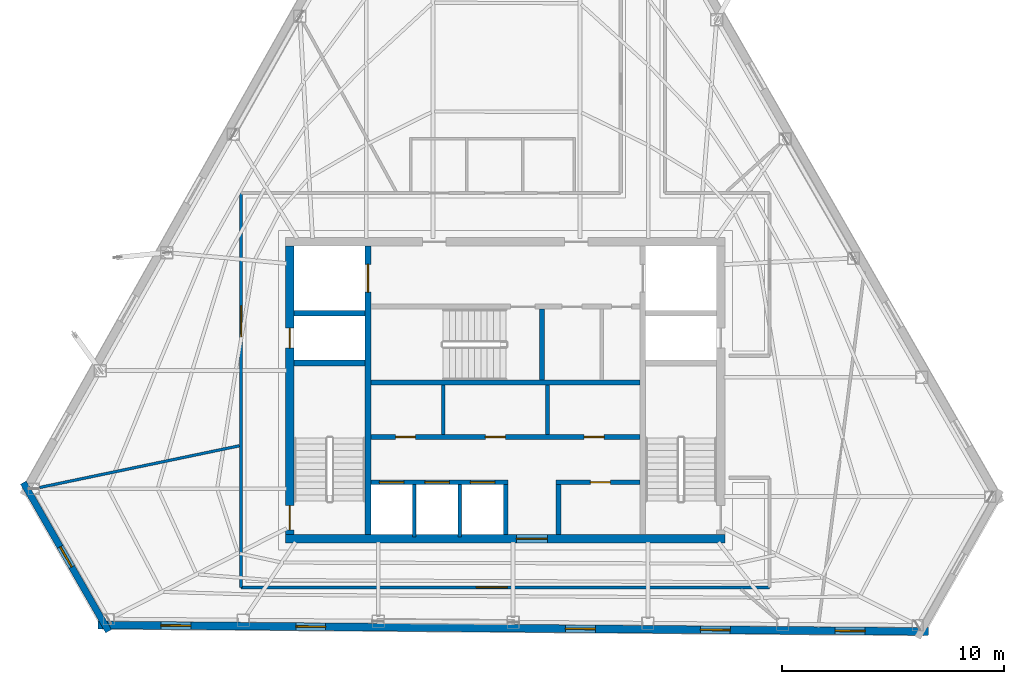
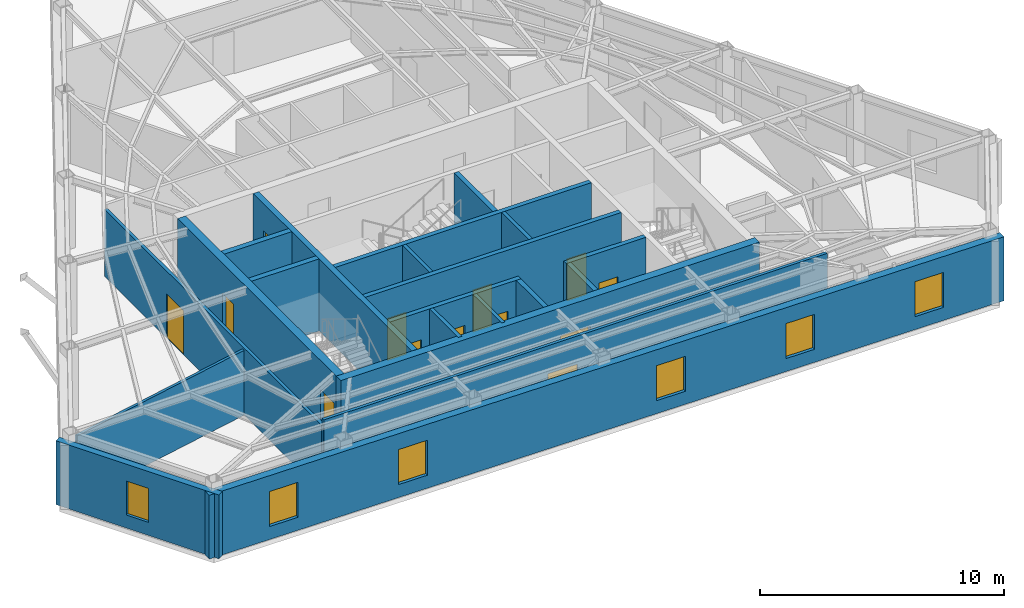
# One storey, part 7 of 10: 21 walls, 13 doors, 6 windows, 19 openings.
"""IFC4 building model written with IfcOpenShell, lengths in metres."""

import ifcopenshell
import ifcopenshell.guid

model = None  # the IFC model being written
_history = None  # IfcOwnerHistory: only IFC2X3 demands one
_inside = {}  # id of a spatial element -> (the spatial element, [elements in it])
_under = {}  # id of a project, library or spatial element -> (it, [spatial elements below it])
_declared = {}  # id of a project -> (the project, [libraries it declares])
_typed = {}  # id of a type object -> (the type object, [elements of that type])
_made_of = {}  # id of a material, layer set ... -> (it, [elements and type objects made of it])


def new_model(schema):
    """Start an empty IFC model of exactly this schema.

    Asked for "IFC4X3", IfcOpenShell would pick the latest addendum, in which some entities
    have other attributes; the version numbers below select the first issue.
    IFC2X3 requires an IfcOwnerHistory on every rooted entity: one is made here for all.
    """
    global model, _history
    if schema == "IFC4X3":
        model = ifcopenshell.file(schema_version=(4, 3, 0, 0))
    else:
        model = ifcopenshell.file(schema=schema)
    _inside.clear()
    _under.clear()
    _declared.clear()
    _typed.clear()
    _made_of.clear()
    _history = None
    if model.schema == "IFC2X3":
        org = make("IfcOrganization", Name="unknown")
        user = make(
            "IfcPersonAndOrganization",
            ThePerson=make("IfcPerson", FamilyName="unknown"),
            TheOrganization=org,
        )
        app = make(
            "IfcApplication",
            ApplicationDeveloper=org,
            Version="unknown",
            ApplicationFullName="unknown",
            ApplicationIdentifier="unknown",
        )
        _history = make(
            "IfcOwnerHistory",
            OwningUser=user,
            OwningApplication=app,
            ChangeAction="ADDED",
            CreationDate=0,
        )
    return model


def make(cls, **values):
    """One entity of the class cls with the attributes given. An attribute that is None is left unset."""
    return model.create_entity(
        cls, **{name: value for name, value in values.items() if value is not None}
    )


def rooted(cls, **values):
    """An entity with a GlobalId (a new one), such as an element, a storey or a relation."""
    return make(cls, GlobalId=ifcopenshell.guid.new(), OwnerHistory=_history, **values)


def si_unit(unit_type, name, prefix=None):
    """IfcSIUnit, for example si_unit("LENGTHUNIT", "METRE", prefix="MILLI")."""
    return make("IfcSIUnit", UnitType=unit_type, Prefix=prefix, Name=name)


def assignment(units):
    """IfcUnitAssignment: the units of a project."""
    return None if units is None else make("IfcUnitAssignment", Units=units)


def point(xyz):
    """IfcCartesianPoint."""
    return None if xyz is None else make("IfcCartesianPoint", Coordinates=xyz)


def direction(xyz):
    """IfcDirection."""
    return None if xyz is None else make("IfcDirection", DirectionRatios=xyz)


def frame(location, z_axis=None, x_axis=None):
    """IfcAxis2Placement3D, a coordinate frame: its origin and axes. An axis left out is left unset."""
    return make(
        "IfcAxis2Placement3D",
        Location=point(location),
        Axis=direction(z_axis),
        RefDirection=direction(x_axis),
    )


def frame_2d(location, x_axis=None):
    """IfcAxis2Placement2D, a coordinate frame in the plane: its origin and x axis."""
    return make(
        "IfcAxis2Placement2D", Location=point(location), RefDirection=direction(x_axis)
    )


def origin():
    """The frame at (0, 0, 0) with its axes left unset."""
    return frame((0.0, 0.0, 0.0))


def place(relative_to, where):
    """IfcLocalPlacement: puts the frame where relative to a parent placement (None: the world)."""
    return make(
        "IfcLocalPlacement", PlacementRelTo=relative_to, RelativePlacement=where
    )


def context(
    kind, dimensions, precision=None, world=None, true_north=None, identifier=None
):
    """IfcGeometricRepresentationContext, for example the 3D "Model" context."""
    return make(
        "IfcGeometricRepresentationContext",
        ContextIdentifier=identifier,
        ContextType=kind,
        CoordinateSpaceDimension=dimensions,
        Precision=precision,
        WorldCoordinateSystem=world,
        TrueNorth=true_north,
    )


def subcontext(parent, identifier, kind, view, scale=None):
    """IfcGeometricRepresentationSubContext, for example "Body" below "Model"."""
    return make(
        "IfcGeometricRepresentationSubContext",
        ContextIdentifier=identifier,
        ContextType=kind,
        ParentContext=parent,
        TargetScale=scale,
        TargetView=view,
    )


def project(units=None, contexts=None):
    """IfcProject with its units and contexts."""
    return rooted(
        "IfcProject",
        Name="project",
        RepresentationContexts=contexts,
        UnitsInContext=assignment(units),
    )


def spatial(cls, under=None, at=None, **own):
    """A site, building, storey or space (cls), placed at a placement, below another one or the project."""
    s = rooted(cls, ObjectPlacement=at, **own)
    if under is not None:
        _under.setdefault(under.id(), (under, []))[1].append(s)
    return s


def profile(cls, at=None, kind="AREA", **sizes):
    """A parametric profile (cls). Its sizes go by their IFC names, for example OverallWidth=200.0."""
    return make(cls, ProfileType=kind, Position=at, **sizes)


def rectangle(**sizes):
    """IfcRectangleProfileDef."""
    return profile("IfcRectangleProfileDef", **sizes)


def extrude(swept, where, along, depth):
    """IfcExtrudedAreaSolid: the profile swept, set in the frame where, extruded along a direction by depth."""
    return make(
        "IfcExtrudedAreaSolid",
        SweptArea=swept,
        Position=where,
        ExtrudedDirection=direction(along),
        Depth=depth,
    )


def shape(context_of_items, identifier, shape_type, items):
    """IfcShapeRepresentation: the items that make up one representation, for example the "Body"."""
    return make(
        "IfcShapeRepresentation",
        ContextOfItems=context_of_items,
        RepresentationIdentifier=identifier,
        RepresentationType=shape_type,
        Items=items,
    )


def material(Name=None, Category=None):
    """IfcMaterial."""
    return make("IfcMaterial", Name=Name, Category=Category)


def layer(
    of_material, thickness, ventilated=None, Name=None, Category=None, Priority=None
):
    """IfcMaterialLayer: one layer of a wall or slab, of a material (None: an air gap)."""
    return make(
        "IfcMaterialLayer",
        Material=of_material,
        LayerThickness=thickness,
        IsVentilated=ventilated,
        Name=Name,
        Category=Category,
        Priority=Priority,
    )


def layer_set(layers, Name=None):
    """IfcMaterialLayerSet."""
    return make("IfcMaterialLayerSet", MaterialLayers=layers, LayerSetName=Name)


def made_of(thing, what):
    """Note that an element or type object is made of a material, layer set ...; save() writes the relation."""
    if what is not None:
        _made_of.setdefault(what.id(), (what, []))[1].append(thing)
    return thing


def type_object(cls, material=None, **own):
    """A type object (cls), such as IfcWallType, which elements share."""
    return made_of(rooted(cls, **own), material)


def element(
    cls,
    number,
    at=None,
    inside=None,
    cuts=None,
    type_object=None,
    material=None,
    context=None,
    identifier="Body",
    shape_type=None,
    held_by="IfcProductDefinitionShape",
    body=None,
    shapes=None,
    **own,
):
    """One element of the class cls, such as IfcWall. Its Tag is "e" and its number.

    at: its placement. inside: the storey or other place that contains it. cuts: it is an
    opening in that element (IfcRelVoidsElement). A single representation is given by context,
    identifier, shape_type and body (its items); several are given by shapes. held_by: the class
    of the entity that holds the representations. save() writes the other relations.
    """
    e = rooted(cls, Tag="e%d" % number, ObjectPlacement=at, **own)
    if body is not None:
        shapes = [shape(context, identifier, shape_type, body)]
    if shapes is not None:
        e.Representation = make(held_by, Representations=shapes)
    if inside is not None:
        _inside.setdefault(inside.id(), (inside, []))[1].append(e)
    if cuts is not None:
        rooted(
            "IfcRelVoidsElement", RelatingBuildingElement=cuts, RelatedOpeningElement=e
        )
    if type_object is not None:
        _typed.setdefault(type_object.id(), (type_object, []))[1].append(e)
    return made_of(e, material)


def fill(opening, filler):
    """IfcRelFillsElement: the door or window that sits in an opening."""
    return rooted(
        "IfcRelFillsElement",
        RelatingOpeningElement=opening,
        RelatedBuildingElement=filler,
    )


def aggregate(whole, parts):
    """IfcRelAggregates: a whole, such as a stair, and the parts it consists of."""
    return rooted("IfcRelAggregates", RelatingObject=whole, RelatedObjects=parts)


def save(model, path):
    """Write the relations noted so far, then the file.

    IfcRelAggregates (storeys below a building ...), IfcRelContainedInSpatialStructure (elements
    in a storey), IfcRelDefinesByType, IfcRelAssociatesMaterial and IfcRelDeclares: one each for
    every whole, place, type object, material and project.
    """
    for whole, parts in _under.values():
        aggregate(whole, parts)
    for where, things in _inside.values():
        rooted(
            "IfcRelContainedInSpatialStructure",
            RelatedElements=things,
            RelatingStructure=where,
        )
    for kind, things in _typed.values():
        rooted("IfcRelDefinesByType", RelatedObjects=things, RelatingType=kind)
    for what, things in _made_of.values():
        rooted("IfcRelAssociatesMaterial", RelatedObjects=things, RelatingMaterial=what)
    for by, libraries in _declared.values():
        rooted("IfcRelDeclares", RelatingContext=by, RelatedDefinitions=libraries)
    model.write(path)


model = new_model("IFC4")

# Units and contexts
model_context = context("Model", 3, precision=1e-05, world=origin(), true_north=direction((0.0, 1.0)))
body_context = subcontext(model_context, "Body", "Model", "MODEL_VIEW")
ifc_project = project(units=[si_unit("LENGTHUNIT", "METRE"), si_unit("AREAUNIT", "SQUARE_METRE"), si_unit("VOLUMEUNIT", "CUBIC_METRE"), si_unit("PLANEANGLEUNIT", "RADIAN"), si_unit("MASSUNIT", "GRAM", prefix="KILO")], contexts=[model_context])

# Site, building, storey
site_placement = place(None, origin())
site = spatial("IfcSite", under=ifc_project, at=site_placement, CompositionType="ELEMENT")
building_placement = place(site_placement, origin())
building = spatial("IfcBuilding", under=site, at=building_placement, Name="Kavelnor Concourse Tower", CompositionType="ELEMENT")
storey_placement = place(building_placement, frame((0.0, 0.0, 243.35009765625)))
storey = spatial("IfcBuildingStorey", under=building, at=storey_placement, Name="L61", CompositionType="ELEMENT", Elevation=243.35009765625)

# Wall, opening, door
ifc_material_1 = material(Name="Concrete C50/60", Category="concrete")
ifc_layer_1 = layer(ifc_material_1, 0.3798828125, Name="Concrete C50/60")
ifc_layer_set_1 = layer_set([ifc_layer_1], Name="Concrete C50/60")
wall_type_1 = type_object("IfcWallType", Name="WL-CORE-Z4-380", PredefinedType="SOLIDWALL", material=ifc_layer_set_1)
wall_1_placement = place(storey_placement, frame((28.10009765625, 9.409912109375, 0.0), z_axis=(0.0, 0.0, 1.0), x_axis=(1.0, 0.0, 0.0)))
wall_1 = element("IfcWall", 1, at=wall_1_placement, inside=storey, type_object=wall_type_1, Name="L61 Central Core South Shear Wall", PredefinedType="SOLIDWALL", context=body_context, shape_type="SweptSolid", body=[
    extrude(rectangle(XDim=19.7998046875, YDim=0.3798828125, at=frame_2d((9.89990234375, 0.0))), origin(), (0.0, 0.0, 1.0), 3.60986328125),
])
opening_1_placement = place(wall_1_placement, frame((10.39990234375, 0.0, 0.0)))
opening_1 = element("IfcOpeningElement", 2, at=opening_1_placement, cuts=wall_1, Name="Opening SD-140", PredefinedType="OPENING", context=body_context, shape_type="SweptSolid", body=[
    extrude(rectangle(XDim=1.39990234375, YDim=2.199951171875, at=frame_2d((0.699951171875, 1.10009765625))), frame((0.0, 0.199951171875, 0.0), z_axis=(0.0, -1.0, 0.0), x_axis=(1.0, 0.0, 0.0)), (0.0, 0.0, 1.0), 0.39990234375),
])
ifc_material_2 = material(Name="Solid-core hardwood timber", Category="wood")
door_type_1 = type_object("IfcDoorType", Name="DR-SUITE-ENTRY-1400", OperationType="NOTDEFINED", PredefinedType="DOOR", material=ifc_material_2)
door_1_placement = place(opening_1_placement, origin())
door_1 = element("IfcDoor", 3, at=door_1_placement, inside=storey, type_object=door_type_1, Name="L61 Passenger Lift Lobby Entry Door", OperationType="SINGLE_SWING_RIGHT", OverallHeight=2.199951171875, OverallWidth=1.39990234375, PredefinedType="DOOR", context=body_context, shape_type="SweptSolid", body=[
    extrude(rectangle(XDim=1.39990234375, YDim=2.199951171875, at=frame_2d((0.699951171875, 1.10009765625))), frame((0.0, 0.02490234375, 0.0), z_axis=(0.0, -1.0, 0.0), x_axis=(1.0, 0.0, 0.0)), (0.0, 0.0, 1.0), 0.050048828125),
])
fill(opening_1, door_1)

# Wall, openings, doors
wall_2_placement = place(storey_placement, frame((28.2900390625, 9.60009765625, 0.0), z_axis=(0.0, 0.0, 1.0), x_axis=(0.0, 1.0, 0.0)))
wall_2 = element("IfcWall", 4, at=wall_2_placement, inside=storey, type_object=wall_type_1, Name="L61 Central Core West Shear Wall", PredefinedType="SOLIDWALL", context=body_context, shape_type="SweptSolid", body=[
    extrude(rectangle(XDim=13.0, YDim=0.3798828125, at=frame_2d((6.5, 0.0))), origin(), (0.0, 0.0, 1.0), 3.60986328125),
])
opening_2_placement = place(wall_2_placement, frame((0.199951171875, 0.0, 0.0)))
opening_2 = element("IfcOpeningElement", 5, at=opening_2_placement, cuts=wall_2, Name="Opening FD-110", PredefinedType="OPENING", context=body_context, shape_type="SweptSolid", body=[
    extrude(rectangle(XDim=1.10009765625, YDim=2.14990234375, at=frame_2d((0.550048828125, 1.074951171875))), frame((0.0, 0.199951171875, 0.0), z_axis=(0.0, -1.0, 0.0), x_axis=(1.0, 0.0, 0.0)), (0.0, 0.0, 1.0), 0.39990234375),
])
opening_3_placement = place(wall_2_placement, frame((8.39990234375, 0.0, 0.0)))
opening_3 = element("IfcOpeningElement", 6, at=opening_3_placement, cuts=wall_2, Name="Opening FD-090", PredefinedType="OPENING", context=body_context, shape_type="SweptSolid", body=[
    extrude(rectangle(XDim=0.89990234375, YDim=2.10009765625, at=frame_2d((0.449951171875, 1.050048828125))), frame((0.0, 0.199951171875, 0.0), z_axis=(0.0, -1.0, 0.0), x_axis=(1.0, 0.0, 0.0)), (0.0, 0.0, 1.0), 0.39990234375),
])
ifc_material_3 = material(Name="Steel Grade 350", Category="steel")
door_type_2 = type_object("IfcDoorType", Name="DR-RISER-FIRE-900", OperationType="NOTDEFINED", PredefinedType="DOOR", material=ifc_material_3)
door_2_placement = place(opening_3_placement, origin())
door_2 = element("IfcDoor", 7, at=door_2_placement, inside=storey, type_object=door_type_2, Name="L61 West Riser Access Door", OperationType="SINGLE_SWING_RIGHT", OverallHeight=2.10009765625, OverallWidth=0.89990234375, PredefinedType="DOOR", context=body_context, shape_type="SweptSolid", body=[
    extrude(rectangle(XDim=0.89990234375, YDim=2.10009765625, at=frame_2d((0.449951171875, 1.050048828125))), frame((0.0, 0.02490234375, 0.0), z_axis=(0.0, -1.0, 0.0), x_axis=(1.0, 0.0, 0.0)), (0.0, 0.0, 1.0), 0.050048828125),
])
fill(opening_3, door_2)
door_type_3 = type_object("IfcDoorType", Name="DR-STAIR-FIRE-1100", OperationType="NOTDEFINED", PredefinedType="DOOR", material=ifc_material_3)
door_3_placement = place(opening_2_placement, origin())
door_3 = element("IfcDoor", 8, at=door_3_placement, inside=storey, type_object=door_type_3, Name="L61 Stair ST1 Fire Door", OperationType="SINGLE_SWING_LEFT", OverallHeight=2.14990234375, OverallWidth=1.10009765625, PredefinedType="DOOR", context=body_context, shape_type="SweptSolid", body=[
    extrude(rectangle(XDim=1.10009765625, YDim=2.14990234375, at=frame_2d((0.550048828125, 1.074951171875))), frame((0.0, 0.02490234375, 0.0), z_axis=(0.0, -1.0, 0.0), x_axis=(1.0, 0.0, 0.0)), (0.0, 0.0, 1.0), 0.050048828125),
])
fill(opening_2, door_3)

# Wall, opening, window
ifc_material_4 = material(Name="Buff ironspot clay face brick masonry", Category="masonry")
ifc_layer_2 = layer(ifc_material_4, 0.300048828125, Name="Buff ironspot clay face brick masonry")
ifc_layer_set_2 = layer_set([ifc_layer_2], Name="Buff ironspot clay face brick masonry")
wall_type_2 = type_object("IfcWallType", Name="WL-EXT-BUFF-BRICK-FOLD-300", PredefinedType="STANDARD", material=ifc_layer_set_2)
wall_3_placement = place(storey_placement, frame((20.115478515625, 5.235107421875, 0.0), z_axis=(0.0, 0.0, 1.0), x_axis=(-0.497564585211, 0.867426932683, 0.0)))
wall_3 = element("IfcWall", 9, at=wall_3_placement, inside=storey, type_object=wall_type_2, Name="L61 Exterior Brick Facade Wall E2", PredefinedType="STANDARD", context=body_context, shape_type="SweptSolid", body=[
    extrude(rectangle(XDim=7.7236328125, YDim=0.300048828125, at=frame_2d((3.86181640625, 0.0))), origin(), (0.0, 0.0, 1.0), 3.19580078125),
])
opening_4_placement = place(wall_3_placement, frame((3.336669921875, 0.0, 0.64990234375)))
opening_4 = element("IfcOpeningElement", 10, at=opening_4_placement, cuts=wall_3, Name="Opening W-06", PredefinedType="OPENING", context=body_context, shape_type="SweptSolid", body=[
    extrude(rectangle(XDim=1.050048828125, YDim=1.699951171875, at=frame_2d((0.52490234375, 0.85009765625))), frame((0.0, 0.16015625, 0.0), z_axis=(0.0, -1.0, 0.0), x_axis=(1.0, 0.0, 0.0)), (0.0, 0.0, 1.0), 0.320068359375),
])
ifc_material_5 = material(Name="Double low-E argon insulated glazing", Category="glass")
window_type_1 = type_object("IfcWindowType", Name="WIN-FOLD-1050", PartitioningType="SINGLE_PANEL", PredefinedType="WINDOW", material=ifc_material_5)
window_1_placement = place(opening_4_placement, origin())
window_1 = element("IfcWindow", 11, at=window_1_placement, inside=storey, type_object=window_type_1, Name="L61 Chamfer-Fold Facet Window C1", OverallHeight=1.699951171875, OverallWidth=1.050048828125, PartitioningType="SINGLE_PANEL", PredefinedType="WINDOW", context=body_context, shape_type="SweptSolid", body=[
    extrude(rectangle(XDim=1.050048828125, YDim=1.699951171875, at=frame_2d((0.52490234375, 0.85009765625))), frame((0.0, 0.030029296875, 0.0), z_axis=(0.0, -1.0, 0.0), x_axis=(1.0, 0.0, 0.0)), (0.0, 0.0, 1.0), 0.06005859375),
])
fill(opening_4, window_1)

# Wall, openings, windows
ifc_material_6 = material(Name="Red-ochre clay face brick masonry", Category="masonry")
ifc_layer_3 = layer(ifc_material_6, 0.35009765625, Name="Red-ochre clay face brick masonry")
ifc_layer_set_3 = layer_set([ifc_layer_3], Name="Red-ochre clay face brick masonry")
wall_type_3 = type_object("IfcWallType", Name="WL-EXT-RED-BRICK-PIER-350", PredefinedType="STANDARD", material=ifc_layer_set_3)
wall_4_placement = place(storey_placement, frame((57.066162109375, 5.22216796875, 0.0), z_axis=(0.0, 0.0, 1.0), x_axis=(-0.999969217333, 0.007846297637, 0.0)))
wall_4 = element("IfcWall", 12, at=wall_4_placement, inside=storey, type_object=wall_type_3, Name="L61 Exterior Brick Facade Wall E3", PredefinedType="STANDARD", context=body_context, shape_type="SweptSolid", body=[
    extrude(rectangle(XDim=37.431884765625, YDim=0.35009765625, at=frame_2d((18.7158203125, 0.0))), origin(), (0.0, 0.0, 1.0), 3.19580078125),
])
opening_5_placement = place(wall_4_placement, frame((33.241943359375, 0.0, 0.64990234375)))
opening_5 = element("IfcOpeningElement", 13, at=opening_5_placement, cuts=wall_4, Name="Opening W-04", PredefinedType="OPENING", context=body_context, shape_type="SweptSolid", body=[
    extrude(rectangle(XDim=1.35009765625, YDim=1.75, at=frame_2d((0.675048828125, 0.875))), frame((0.0, 0.18505859375, 0.0), z_axis=(0.0, -1.0, 0.0), x_axis=(1.0, 0.0, 0.0)), (0.0, 0.0, 1.0), 0.3701171875),
])
opening_6_placement = place(wall_4_placement, frame((27.1630859375, 0.0, 0.64990234375)))
opening_6 = element("IfcOpeningElement", 14, at=opening_6_placement, cuts=wall_4, Name="Opening W-04", PredefinedType="OPENING", context=body_context, shape_type="SweptSolid", body=[
    extrude(rectangle(XDim=1.35009765625, YDim=1.75, at=frame_2d((0.675048828125, 0.875))), frame((0.0, 0.18505859375, 0.0), z_axis=(0.0, -1.0, 0.0), x_axis=(1.0, 0.0, 0.0)), (0.0, 0.0, 1.0), 0.3701171875),
])
opening_7_placement = place(wall_4_placement, frame((15.005126953125, 0.0, 0.64990234375)))
opening_7 = element("IfcOpeningElement", 15, at=opening_7_placement, cuts=wall_4, Name="Opening W-04", PredefinedType="OPENING", context=body_context, shape_type="SweptSolid", body=[
    extrude(rectangle(XDim=1.35009765625, YDim=1.75, at=frame_2d((0.675048828125, 0.875))), frame((0.0, 0.18505859375, 0.0), z_axis=(0.0, -1.0, 0.0), x_axis=(1.0, 0.0, 0.0)), (0.0, 0.0, 1.0), 0.3701171875),
])
opening_8_placement = place(wall_4_placement, frame((8.926513671875, 0.0, 0.64990234375)))
opening_8 = element("IfcOpeningElement", 16, at=opening_8_placement, cuts=wall_4, Name="Opening W-04", PredefinedType="OPENING", context=body_context, shape_type="SweptSolid", body=[
    extrude(rectangle(XDim=1.35009765625, YDim=1.75, at=frame_2d((0.675048828125, 0.875))), frame((0.0, 0.18505859375, 0.0), z_axis=(0.0, -1.0, 0.0), x_axis=(1.0, 0.0, 0.0)), (0.0, 0.0, 1.0), 0.3701171875),
])
opening_9_placement = place(wall_4_placement, frame((2.847412109375, 0.0, 0.64990234375)))
opening_9 = element("IfcOpeningElement", 17, at=opening_9_placement, cuts=wall_4, Name="Opening W-04", PredefinedType="OPENING", context=body_context, shape_type="SweptSolid", body=[
    extrude(rectangle(XDim=1.35009765625, YDim=1.75, at=frame_2d((0.675048828125, 0.875))), frame((0.0, 0.18505859375, 0.0), z_axis=(0.0, -1.0, 0.0), x_axis=(1.0, 0.0, 0.0)), (0.0, 0.0, 1.0), 0.3701171875),
])
window_type_2 = type_object("IfcWindowType", Name="WIN-PIER-Z4-1350", PartitioningType="SINGLE_PANEL", PredefinedType="WINDOW", material=ifc_material_5)
window_2_placement = place(opening_5_placement, origin())
window_2 = element("IfcWindow", 18, at=window_2_placement, inside=storey, type_object=window_type_2, Name="L61 Deep-Set Brick Pier Window F1-B0", OverallHeight=1.75, OverallWidth=1.35009765625, PartitioningType="SINGLE_PANEL", PredefinedType="WINDOW", context=body_context, shape_type="SweptSolid", body=[
    extrude(rectangle(XDim=1.35009765625, YDim=1.75, at=frame_2d((0.675048828125, 0.875))), frame((0.0, 0.030029296875, 0.0), z_axis=(0.0, -1.0, 0.0), x_axis=(1.0, 0.0, 0.0)), (0.0, 0.0, 1.0), 0.06005859375),
])
fill(opening_5, window_2)
window_3_placement = place(opening_6_placement, origin())
window_3 = element("IfcWindow", 19, at=window_3_placement, inside=storey, type_object=window_type_2, Name="L61 Deep-Set Brick Pier Window F1-B1", OverallHeight=1.75, OverallWidth=1.35009765625, PartitioningType="SINGLE_PANEL", PredefinedType="WINDOW", context=body_context, shape_type="SweptSolid", body=[
    extrude(rectangle(XDim=1.35009765625, YDim=1.75, at=frame_2d((0.675048828125, 0.875))), frame((0.0, 0.030029296875, 0.0), z_axis=(0.0, -1.0, 0.0), x_axis=(1.0, 0.0, 0.0)), (0.0, 0.0, 1.0), 0.06005859375),
])
fill(opening_6, window_3)
window_4_placement = place(opening_7_placement, origin())
window_4 = element("IfcWindow", 20, at=window_4_placement, inside=storey, type_object=window_type_2, Name="L61 Deep-Set Brick Pier Window F1-B3", OverallHeight=1.75, OverallWidth=1.35009765625, PartitioningType="SINGLE_PANEL", PredefinedType="WINDOW", context=body_context, shape_type="SweptSolid", body=[
    extrude(rectangle(XDim=1.35009765625, YDim=1.75, at=frame_2d((0.675048828125, 0.875))), frame((0.0, 0.030029296875, 0.0), z_axis=(0.0, -1.0, 0.0), x_axis=(1.0, 0.0, 0.0)), (0.0, 0.0, 1.0), 0.06005859375),
])
fill(opening_7, window_4)
window_5_placement = place(opening_8_placement, origin())
window_5 = element("IfcWindow", 21, at=window_5_placement, inside=storey, type_object=window_type_2, Name="L61 Deep-Set Brick Pier Window F1-B4", OverallHeight=1.75, OverallWidth=1.35009765625, PartitioningType="SINGLE_PANEL", PredefinedType="WINDOW", context=body_context, shape_type="SweptSolid", body=[
    extrude(rectangle(XDim=1.35009765625, YDim=1.75, at=frame_2d((0.675048828125, 0.875))), frame((0.0, 0.030029296875, 0.0), z_axis=(0.0, -1.0, 0.0), x_axis=(1.0, 0.0, 0.0)), (0.0, 0.0, 1.0), 0.06005859375),
])
fill(opening_8, window_5)
window_6_placement = place(opening_9_placement, origin())
window_6 = element("IfcWindow", 22, at=window_6_placement, inside=storey, type_object=window_type_2, Name="L61 Deep-Set Brick Pier Window F1-B5", OverallHeight=1.75, OverallWidth=1.35009765625, PartitioningType="SINGLE_PANEL", PredefinedType="WINDOW", context=body_context, shape_type="SweptSolid", body=[
    extrude(rectangle(XDim=1.35009765625, YDim=1.75, at=frame_2d((0.675048828125, 0.875))), frame((0.0, 0.030029296875, 0.0), z_axis=(0.0, -1.0, 0.0), x_axis=(1.0, 0.0, 0.0)), (0.0, 0.0, 1.0), 0.06005859375),
])
fill(opening_9, window_6)

# Wall, opening, door
ifc_material_7 = material(Name="Gypsum plasterboard on light-gauge steel studs", Category="steel")
ifc_layer_4 = layer(ifc_material_7, 0.14501953125, Name="Gypsum plasterboard on light-gauge steel studs")
ifc_layer_set_4 = layer_set([ifc_layer_4], Name="Gypsum plasterboard on light-gauge steel studs")
wall_type_4 = type_object("IfcWallType", Name="WL-INT-CORR-145", PredefinedType="PARTITIONING", material=ifc_layer_set_4)
wall_5_placement = place(storey_placement, frame((49.909912109375, 7.2099609375, 0.0), z_axis=(0.0, 0.0, 1.0), x_axis=(-1.0, 0.0, 0.0)))
wall_5 = element("IfcWall", 23, at=wall_5_placement, inside=storey, type_object=wall_type_4, Name="L61 Corridor Wall WL-L61-CR-09", PredefinedType="PARTITIONING", context=body_context, shape_type="SweptSolid", body=[
    extrude(rectangle(XDim=23.81982421875, YDim=0.14501953125, at=frame_2d((11.909912109375, 0.0))), origin(), (0.0, 0.0, 1.0), 3.60986328125),
])
opening_10_placement = place(wall_5_placement, frame((11.817138671875, 0.0, 0.0)))
opening_10 = element("IfcOpeningElement", 24, at=opening_10_placement, cuts=wall_5, Name="Opening SD-140", PredefinedType="OPENING", context=body_context, shape_type="SweptSolid", body=[
    extrude(rectangle(XDim=1.39990234375, YDim=2.199951171875, at=frame_2d((0.699951171875, 1.10009765625))), frame((0.0, 0.08251953125, 0.0), z_axis=(0.0, -1.0, 0.0), x_axis=(1.0, 0.0, 0.0)), (0.0, 0.0, 1.0), 0.1650390625),
])
door_4_placement = place(opening_10_placement, origin())
door_4 = element("IfcDoor", 25, at=door_4_placement, inside=storey, type_object=door_type_1, Name="L61 Executive Dining Room 04 Door", OperationType="SINGLE_SWING_RIGHT", OverallHeight=2.199951171875, OverallWidth=1.39990234375, PredefinedType="DOOR", context=body_context, shape_type="SweptSolid", body=[
    extrude(rectangle(XDim=1.39990234375, YDim=2.199951171875, at=frame_2d((0.699951171875, 1.10009765625))), frame((0.0, 0.02490234375, 0.0), z_axis=(0.0, -1.0, 0.0), x_axis=(1.0, 0.0, 0.0)), (0.0, 0.0, 1.0), 0.050048828125),
])
fill(opening_10, door_4)

wall_6_placement = place(storey_placement, frame((26.090087890625, 7.2099609375, 0.0), z_axis=(0.0, 0.0, 1.0), x_axis=(0.0, 1.0, 0.0)))
wall_6 = element("IfcWall", 26, at=wall_6_placement, inside=storey, type_object=wall_type_4, Name="L61 Corridor Wall WL-L61-CR-10", PredefinedType="PARTITIONING", context=body_context, shape_type="SweptSolid", body=[
    extrude(rectangle(XDim=17.780029296875, YDim=0.14501953125, at=frame_2d((8.89013671875, 0.0))), origin(), (0.0, 0.0, 1.0), 3.348876953125),
])
opening_11_placement = place(wall_6_placement, frame((11.29736328125, 0.0, 0.0)))
opening_11 = element("IfcOpeningElement", 27, at=opening_11_placement, cuts=wall_6, Name="Opening SD-140", PredefinedType="OPENING", context=body_context, shape_type="SweptSolid", body=[
    extrude(rectangle(XDim=1.39990234375, YDim=2.199951171875, at=frame_2d((0.699951171875, 1.10009765625))), frame((0.0, 0.08251953125, 0.0), z_axis=(0.0, -1.0, 0.0), x_axis=(1.0, 0.0, 0.0)), (0.0, 0.0, 1.0), 0.1650390625),
])
door_5_placement = place(opening_11_placement, origin())
door_5 = element("IfcDoor", 28, at=door_5_placement, inside=storey, type_object=door_type_1, Name="L61 Architectural Design Studio 03 Door", OperationType="SINGLE_SWING_LEFT", OverallHeight=2.199951171875, OverallWidth=1.39990234375, PredefinedType="DOOR", context=body_context, shape_type="SweptSolid", body=[
    extrude(rectangle(XDim=1.39990234375, YDim=2.199951171875, at=frame_2d((0.699951171875, 1.10009765625))), frame((0.0, 0.02490234375, 0.0), z_axis=(0.0, -1.0, 0.0), x_axis=(1.0, 0.0, 0.0)), (0.0, 0.0, 1.0), 0.050048828125),
])
fill(opening_11, door_5)

# Walls
ifc_layer_5 = layer(ifc_material_7, 0.1650390625, Name="Gypsum plasterboard on light-gauge steel studs")
ifc_layer_set_5 = layer_set([ifc_layer_5], Name="Gypsum plasterboard on light-gauge steel studs")
wall_type_5 = type_object("IfcWallType", Name="WL-INT-FIRE-165", PredefinedType="PARTITIONING", material=ifc_layer_set_5)
for number, where, z_axis, x_axis, name in (
    (29, (33.89990234375, 9.489990234375, 0.0), (0.0, 0.0, 1.0), (0.0, 1.0, 0.0), "L61 Lift Shaft Divider LP7"),
    (30, (35.949951171875, 9.489990234375, 0.0), (0.0, 0.0, 1.0), (0.0, 1.0, 0.0), "L61 Lift Shaft Divider LP8"),
):
    element("IfcWall", number, at=place(storey_placement, frame(where, z_axis=z_axis, x_axis=x_axis)), inside=storey, type_object=wall_type_5, Name=name, PredefinedType="PARTITIONING", context=body_context, shape_type="SweptSolid", body=[
        extrude(rectangle(XDim=2.35009765625, YDim=0.1650390625, at=frame_2d((1.175048828125, 0.0))), origin(), (0.0, 0.0, 1.0), 3.60986328125),
    ])
for number, where, z_axis, x_axis, name in (
    (31, (35.199951171875, 14.10009765625, 0.0), (0.0, 0.0, 1.0), (0.0, 1.0, 0.0), "L61 Reclaimed Core Partition A"),
    (32, (39.89990234375, 14.10009765625, 0.0), (0.0, 0.0, 1.0), (0.0, 1.0, 0.0), "L61 Reclaimed Core Partition B"),
):
    element("IfcWall", number, at=place(storey_placement, frame(where, z_axis=z_axis, x_axis=x_axis)), inside=storey, type_object=wall_type_5, Name=name, PredefinedType="PARTITIONING", context=body_context, shape_type="SweptSolid", body=[
        extrude(rectangle(XDim=2.239990234375, YDim=0.1650390625, at=frame_2d((1.1201171875, 0.0))), origin(), (0.0, 0.0, 1.0), 3.60986328125),
    ])
ifc_layer_6 = layer(ifc_material_7, 0.125, Name="Gypsum plasterboard on light-gauge steel studs")
ifc_layer_set_6 = layer_set([ifc_layer_6], Name="Gypsum plasterboard on light-gauge steel studs")
wall_type_6 = type_object("IfcWallType", Name="WL-INT-SUITE-125", PredefinedType="PARTITIONING", material=ifc_layer_set_6)
wall_7_placement = place(storey_placement, frame((26.009521484375, 13.594970703125, 0.0), z_axis=(0.0, 0.0, 1.0), x_axis=(-0.978866713773, -0.204499282805, 0.0)))
element("IfcWall", 33, at=wall_7_placement, inside=storey, type_object=wall_type_6, Name="L61 Radial Suite Partition 03", PredefinedType="PARTITIONING", context=body_context, shape_type="SweptSolid", body=[
    extrude(rectangle(XDim=9.19384765625, YDim=0.125, at=frame_2d((4.596923828125, 0.0))), origin(), (0.0, 0.0, 1.0), 3.245849609375),
])
ifc_layer_7 = layer(ifc_material_1, 0.219970703125, Name="Concrete C50/60")
ifc_layer_set_7 = layer_set([ifc_layer_7], Name="Concrete C50/60")
wall_type_7 = type_object("IfcWallType", Name="WL-SHAFT-220", PredefinedType="SOLIDWALL", material=ifc_layer_set_7)
wall_8_placement = place(storey_placement, frame((31.93994140625, 16.449951171875, 0.0), z_axis=(0.0, 0.0, 1.0), x_axis=(1.0, 0.0, 0.0)))
element("IfcWall", 34, at=wall_8_placement, inside=storey, type_object=wall_type_7, Name="L61 Stair ST3 South Core Wall", PredefinedType="SOLIDWALL", context=body_context, shape_type="SweptSolid", body=[
    extrude(rectangle(XDim=12.1201171875, YDim=0.219970703125, at=frame_2d((6.06005859375, 0.0))), origin(), (0.0, 0.0, 1.0), 3.60986328125),
])
wall_9_placement = place(storey_placement, frame((39.64990234375, 16.56005859375, 0.0), z_axis=(0.0, 0.0, 1.0), x_axis=(0.0, 1.0, 0.0)))
element("IfcWall", 35, at=wall_9_placement, inside=storey, type_object=wall_type_7, Name="L61 Stair ST3 East Core Wall", PredefinedType="SOLIDWALL", context=body_context, shape_type="SweptSolid", body=[
    extrude(rectangle(XDim=3.199951171875, YDim=0.219970703125, at=frame_2d((1.60009765625, 0.0))), origin(), (0.0, 0.0, 1.0), 3.60986328125),
])

# Wall, openings, doors
wall_10_placement = place(storey_placement, frame((31.93994140625, 13.989990234375, 0.0), z_axis=(0.0, 0.0, 1.0), x_axis=(1.0, 0.0, 0.0)))
wall_10 = element("IfcWall", 36, at=wall_10_placement, inside=storey, type_object=wall_type_7, Name="L61 North Lift Row Shaft Wall", PredefinedType="SOLIDWALL", context=body_context, shape_type="SweptSolid", body=[
    extrude(rectangle(XDim=12.1201171875, YDim=0.219970703125, at=frame_2d((6.06005859375, 0.0))), origin(), (0.0, 0.0, 1.0), 3.60986328125),
])
opening_12_placement = place(wall_10_placement, frame((1.110107421875, 0.0, 0.0)))
opening_12 = element("IfcOpeningElement", 37, at=opening_12_placement, cuts=wall_10, Name="Opening FD-090", PredefinedType="OPENING", context=body_context, shape_type="SweptSolid", body=[
    extrude(rectangle(XDim=0.89990234375, YDim=2.10009765625, at=frame_2d((0.449951171875, 1.050048828125))), frame((0.0, 0.1201171875, 0.0), z_axis=(0.0, -1.0, 0.0), x_axis=(1.0, 0.0, 0.0)), (0.0, 0.0, 1.0), 0.239990234375),
])
opening_13_placement = place(wall_10_placement, frame((5.159912109375, 0.0, 0.0)))
opening_13 = element("IfcOpeningElement", 38, at=opening_13_placement, cuts=wall_10, Name="Opening FD-090", PredefinedType="OPENING", context=body_context, shape_type="SweptSolid", body=[
    extrude(rectangle(XDim=0.89990234375, YDim=2.10009765625, at=frame_2d((0.449951171875, 1.050048828125))), frame((0.0, 0.1201171875, 0.0), z_axis=(0.0, -1.0, 0.0), x_axis=(1.0, 0.0, 0.0)), (0.0, 0.0, 1.0), 0.239990234375),
])
opening_14_placement = place(wall_10_placement, frame((9.610107421875, 0.0, 0.0)))
opening_14 = element("IfcOpeningElement", 39, at=opening_14_placement, cuts=wall_10, Name="Opening FD-090", PredefinedType="OPENING", context=body_context, shape_type="SweptSolid", body=[
    extrude(rectangle(XDim=0.89990234375, YDim=2.10009765625, at=frame_2d((0.449951171875, 1.050048828125))), frame((0.0, 0.1201171875, 0.0), z_axis=(0.0, -1.0, 0.0), x_axis=(1.0, 0.0, 0.0)), (0.0, 0.0, 1.0), 0.239990234375),
])
door_6_placement = place(opening_12_placement, origin())
door_6 = element("IfcDoor", 40, at=door_6_placement, inside=storey, type_object=door_type_2, Name="L61 Reclaimed Core Door A", OperationType="SINGLE_SWING_RIGHT", OverallHeight=2.10009765625, OverallWidth=0.89990234375, PredefinedType="DOOR", context=body_context, shape_type="SweptSolid", body=[
    extrude(rectangle(XDim=0.89990234375, YDim=2.10009765625, at=frame_2d((0.449951171875, 1.050048828125))), frame((0.0, 0.02490234375, 0.0), z_axis=(0.0, -1.0, 0.0), x_axis=(1.0, 0.0, 0.0)), (0.0, 0.0, 1.0), 0.050048828125),
])
fill(opening_12, door_6)
door_7_placement = place(opening_13_placement, origin())
door_7 = element("IfcDoor", 41, at=door_7_placement, inside=storey, type_object=door_type_2, Name="L61 Reclaimed Core Door B", OperationType="SINGLE_SWING_LEFT", OverallHeight=2.10009765625, OverallWidth=0.89990234375, PredefinedType="DOOR", context=body_context, shape_type="SweptSolid", body=[
    extrude(rectangle(XDim=0.89990234375, YDim=2.10009765625, at=frame_2d((0.449951171875, 1.050048828125))), frame((0.0, 0.02490234375, 0.0), z_axis=(0.0, -1.0, 0.0), x_axis=(1.0, 0.0, 0.0)), (0.0, 0.0, 1.0), 0.050048828125),
])
fill(opening_13, door_7)
door_8_placement = place(opening_14_placement, origin())
door_8 = element("IfcDoor", 42, at=door_8_placement, inside=storey, type_object=door_type_2, Name="L61 Reclaimed Core Door C", OperationType="SINGLE_SWING_RIGHT", OverallHeight=2.10009765625, OverallWidth=0.89990234375, PredefinedType="DOOR", context=body_context, shape_type="SweptSolid", body=[
    extrude(rectangle(XDim=0.89990234375, YDim=2.10009765625, at=frame_2d((0.449951171875, 1.050048828125))), frame((0.0, 0.02490234375, 0.0), z_axis=(0.0, -1.0, 0.0), x_axis=(1.0, 0.0, 0.0)), (0.0, 0.0, 1.0), 0.050048828125),
])
fill(opening_14, door_8)

wall_11_placement = place(storey_placement, frame((31.93994140625, 11.949951171875, 0.0), z_axis=(0.0, 0.0, 1.0), x_axis=(1.0, 0.0, 0.0)))
wall_11 = element("IfcWall", 43, at=wall_11_placement, inside=storey, type_object=wall_type_7, Name="L61 High-Rise Lift Bank North Wall", PredefinedType="SOLIDWALL", context=body_context, shape_type="SweptSolid", body=[
    extrude(rectangle(XDim=6.18994140625, YDim=0.219970703125, at=frame_2d((3.094970703125, 0.0))), origin(), (0.0, 0.0, 1.0), 3.60986328125),
])
opening_15_placement = place(wall_11_placement, frame((0.385009765625, 0.0, 0.0)))
opening_15 = element("IfcOpeningElement", 44, at=opening_15_placement, cuts=wall_11, Name="Opening LD-110", PredefinedType="OPENING", context=body_context, shape_type="SweptSolid", body=[
    extrude(rectangle(XDim=1.10009765625, YDim=2.199951171875, at=frame_2d((0.550048828125, 1.10009765625))), frame((0.0, 0.1201171875, 0.0), z_axis=(0.0, -1.0, 0.0), x_axis=(1.0, 0.0, 0.0)), (0.0, 0.0, 1.0), 0.239990234375),
])
opening_16_placement = place(wall_11_placement, frame((2.43505859375, 0.0, 0.0)))
opening_16 = element("IfcOpeningElement", 45, at=opening_16_placement, cuts=wall_11, Name="Opening LD-110", PredefinedType="OPENING", context=body_context, shape_type="SweptSolid", body=[
    extrude(rectangle(XDim=1.10009765625, YDim=2.199951171875, at=frame_2d((0.550048828125, 1.10009765625))), frame((0.0, 0.1201171875, 0.0), z_axis=(0.0, -1.0, 0.0), x_axis=(1.0, 0.0, 0.0)), (0.0, 0.0, 1.0), 0.239990234375),
])
opening_17_placement = place(wall_11_placement, frame((4.485107421875, 0.0, 0.0)))
opening_17 = element("IfcOpeningElement", 46, at=opening_17_placement, cuts=wall_11, Name="Opening LD-110", PredefinedType="OPENING", context=body_context, shape_type="SweptSolid", body=[
    extrude(rectangle(XDim=1.10009765625, YDim=2.199951171875, at=frame_2d((0.550048828125, 1.10009765625))), frame((0.0, 0.1201171875, 0.0), z_axis=(0.0, -1.0, 0.0), x_axis=(1.0, 0.0, 0.0)), (0.0, 0.0, 1.0), 0.239990234375),
])
door_type_4 = type_object("IfcDoorType", Name="DR-LIFT-SLIDING-1100", OperationType="NOTDEFINED", PredefinedType="DOOR", material=ifc_material_3)
door_9_placement = place(opening_15_placement, origin())
door_9 = element("IfcDoor", 47, at=door_9_placement, inside=storey, type_object=door_type_4, Name="L61 Lift LP7 Landing Door", OperationType="DOUBLE_DOOR_SLIDING", OverallHeight=2.199951171875, OverallWidth=1.10009765625, PredefinedType="DOOR", context=body_context, shape_type="SweptSolid", body=[
    extrude(rectangle(XDim=1.10009765625, YDim=2.199951171875, at=frame_2d((0.550048828125, 1.10009765625))), frame((0.0, 0.02490234375, 0.0), z_axis=(0.0, -1.0, 0.0), x_axis=(1.0, 0.0, 0.0)), (0.0, 0.0, 1.0), 0.050048828125),
])
fill(opening_15, door_9)
door_10_placement = place(opening_16_placement, origin())
door_10 = element("IfcDoor", 48, at=door_10_placement, inside=storey, type_object=door_type_4, Name="L61 Lift LP8 Landing Door", OperationType="DOUBLE_DOOR_SLIDING", OverallHeight=2.199951171875, OverallWidth=1.10009765625, PredefinedType="DOOR", context=body_context, shape_type="SweptSolid", body=[
    extrude(rectangle(XDim=1.10009765625, YDim=2.199951171875, at=frame_2d((0.550048828125, 1.10009765625))), frame((0.0, 0.02490234375, 0.0), z_axis=(0.0, -1.0, 0.0), x_axis=(1.0, 0.0, 0.0)), (0.0, 0.0, 1.0), 0.050048828125),
])
fill(opening_16, door_10)
door_11_placement = place(opening_17_placement, origin())
door_11 = element("IfcDoor", 49, at=door_11_placement, inside=storey, type_object=door_type_4, Name="L61 Lift LP9 Landing Door", OperationType="DOUBLE_DOOR_SLIDING", OverallHeight=2.199951171875, OverallWidth=1.10009765625, PredefinedType="DOOR", context=body_context, shape_type="SweptSolid", body=[
    extrude(rectangle(XDim=1.10009765625, YDim=2.199951171875, at=frame_2d((0.550048828125, 1.10009765625))), frame((0.0, 0.02490234375, 0.0), z_axis=(0.0, -1.0, 0.0), x_axis=(1.0, 0.0, 0.0)), (0.0, 0.0, 1.0), 0.050048828125),
])
fill(opening_17, door_11)

# Wall, opening, door
wall_12_placement = place(storey_placement, frame((40.280029296875, 11.949951171875, 0.0), z_axis=(0.0, 0.0, 1.0), x_axis=(1.0, 0.0, 0.0)))
wall_12 = element("IfcWall", 50, at=wall_12_placement, inside=storey, type_object=wall_type_7, Name="L61 Core South Support North Wall", PredefinedType="SOLIDWALL", context=body_context, shape_type="SweptSolid", body=[
    extrude(rectangle(XDim=3.780029296875, YDim=0.219970703125, at=frame_2d((1.89013671875, 0.0))), origin(), (0.0, 0.0, 1.0), 3.60986328125),
])
opening_18_placement = place(wall_12_placement, frame((1.550048828125, 0.0, 0.0)))
opening_18 = element("IfcOpeningElement", 51, at=opening_18_placement, cuts=wall_12, Name="Opening FD-090", PredefinedType="OPENING", context=body_context, shape_type="SweptSolid", body=[
    extrude(rectangle(XDim=0.89990234375, YDim=2.10009765625, at=frame_2d((0.449951171875, 1.050048828125))), frame((0.0, 0.1201171875, 0.0), z_axis=(0.0, -1.0, 0.0), x_axis=(1.0, 0.0, 0.0)), (0.0, 0.0, 1.0), 0.239990234375),
])
door_12_placement = place(opening_18_placement, origin())
door_12 = element("IfcDoor", 52, at=door_12_placement, inside=storey, type_object=door_type_2, Name="L61 Core Utility Store Door", OperationType="SINGLE_SWING_LEFT", OverallHeight=2.10009765625, OverallWidth=0.89990234375, PredefinedType="DOOR", context=body_context, shape_type="SweptSolid", body=[
    extrude(rectangle(XDim=0.89990234375, YDim=2.10009765625, at=frame_2d((0.449951171875, 1.050048828125))), frame((0.0, 0.02490234375, 0.0), z_axis=(0.0, -1.0, 0.0), x_axis=(1.0, 0.0, 0.0)), (0.0, 0.0, 1.0), 0.050048828125),
])
fill(opening_18, door_12)

# Walls
for number, where, z_axis, x_axis, name in (
    (53, (38.02001953125, 9.60009765625, 0.0), (0.0, 0.0, 1.0), (0.0, 1.0, 0.0), "L61 Lift Lobby Throat West Wall"),
    (54, (40.389892578125, 9.60009765625, 0.0), (0.0, 0.0, 1.0), (0.0, 1.0, 0.0), "L61 Lift Lobby Throat East Wall"),
):
    element("IfcWall", number, at=place(storey_placement, frame(where, z_axis=z_axis, x_axis=x_axis)), inside=storey, type_object=wall_type_7, Name=name, PredefinedType="SOLIDWALL", context=body_context, shape_type="SweptSolid", body=[
        extrude(rectangle(XDim=2.239990234375, YDim=0.219970703125, at=frame_2d((1.1201171875, 0.0))), origin(), (0.0, 0.0, 1.0), 3.60986328125),
    ])

# Wall, opening, door
ifc_layer_8 = layer(ifc_material_1, 0.260009765625, Name="Concrete C50/60")
ifc_layer_set_8 = layer_set([ifc_layer_8], Name="Concrete C50/60")
wall_type_8 = type_object("IfcWallType", Name="WL-SHAFT-260", PredefinedType="SHEAR", material=ifc_layer_set_8)
wall_13_placement = place(storey_placement, frame((31.81005859375, 9.60009765625, 0.0), z_axis=(0.0, 0.0, 1.0), x_axis=(0.0, 1.0, 0.0)))
wall_13 = element("IfcWall", 55, at=wall_13_placement, inside=storey, type_object=wall_type_8, Name="L61 Core West Wing Shear Wall", PredefinedType="SHEAR", context=body_context, shape_type="SweptSolid", body=[
    extrude(rectangle(XDim=13.0, YDim=0.260009765625, at=frame_2d((6.5, 0.0))), origin(), (0.0, 0.0, 1.0), 3.60986328125),
])
opening_19_placement = place(wall_13_placement, frame((10.925048828125, 0.0, 0.0)))
opening_19 = element("IfcOpeningElement", 56, at=opening_19_placement, cuts=wall_13, Name="Opening LD-125", PredefinedType="OPENING", context=body_context, shape_type="SweptSolid", body=[
    extrude(rectangle(XDim=1.25, YDim=2.25, at=frame_2d((0.625, 1.125))), frame((0.0, 0.14013671875, 0.0), z_axis=(0.0, -1.0, 0.0), x_axis=(1.0, 0.0, 0.0)), (0.0, 0.0, 1.0), 0.280029296875),
])
door_type_5 = type_object("IfcDoorType", Name="DR-LIFT-SLIDING-1250", OperationType="NOTDEFINED", PredefinedType="DOOR", material=ifc_material_3)
door_13_placement = place(opening_19_placement, origin())
door_13 = element("IfcDoor", 57, at=door_13_placement, inside=storey, type_object=door_type_5, Name="L61 Emergency Lift FL1 Landing Door", OperationType="DOUBLE_DOOR_SLIDING", OverallHeight=2.25, OverallWidth=1.25, PredefinedType="DOOR", context=body_context, shape_type="SweptSolid", body=[
    extrude(rectangle(XDim=1.25, YDim=2.25, at=frame_2d((0.625, 1.125))), frame((0.0, 0.02490234375, 0.0), z_axis=(0.0, -1.0, 0.0), x_axis=(1.0, 0.0, 0.0)), (0.0, 0.0, 1.0), 0.050048828125),
])
fill(opening_19, door_13)

# Walls
for number, where, z_axis, x_axis, name in (
    (58, (28.47998046875, 17.330078125, 0.0), (0.0, 0.0, 1.0), (1.0, 0.0, 0.0), "L61 Stair ST1 North Shaft Wall"),
    (59, (28.47998046875, 19.570068359375, 0.0), (0.0, 0.0, 1.0), (1.0, 0.0, 0.0), "L61 Emergency Lift FL1 South Shaft Wall"),
):
    element("IfcWall", number, at=place(storey_placement, frame(where, z_axis=z_axis, x_axis=x_axis)), inside=storey, type_object=wall_type_8, Name=name, PredefinedType="SHEAR", context=body_context, shape_type="SweptSolid", body=[
        extrude(rectangle(XDim=3.199951171875, YDim=0.260009765625, at=frame_2d((1.60009765625, 0.0))), origin(), (0.0, 0.0, 1.0), 3.60986328125),
    ])

save(model, "model.ifc")
